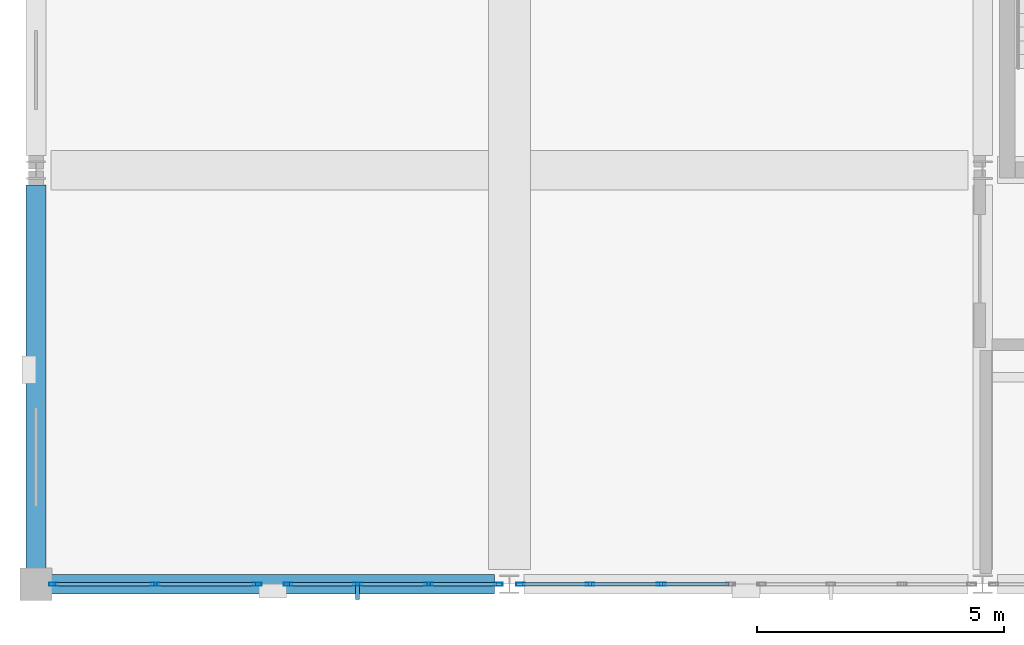
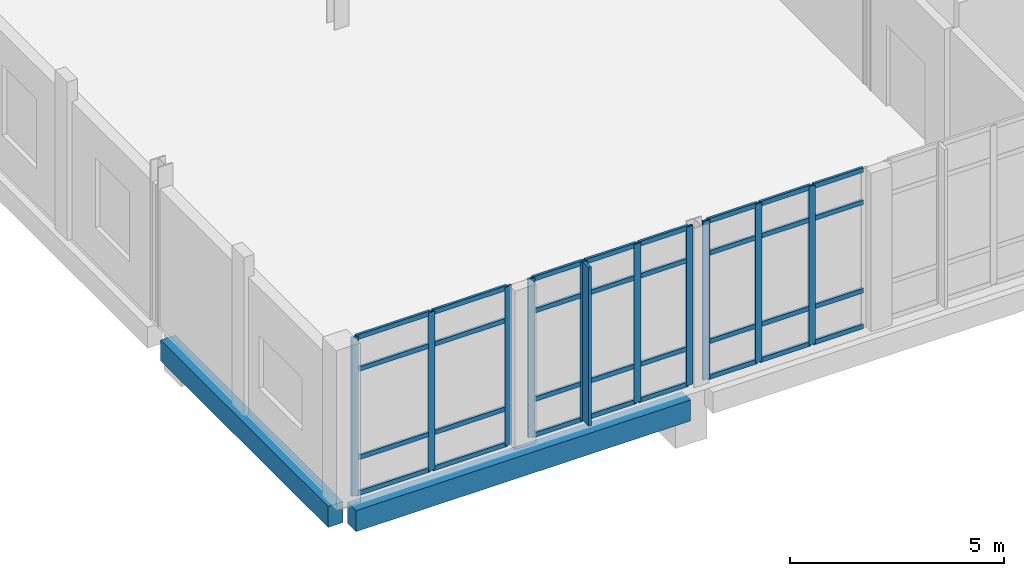
# One storey, part 13 of 102: 43 members, 2 beams, 3 elements without a shape of their own.
"""IFC4 building model written with IfcOpenShell, lengths in metres."""

from ifc_helpers import new_model, si_unit, direction, frame, origin, origin_2d, place, context, subcontext, project, spatial, rectangle, hollow_rectangle, extrude, material, layer, layer_set, material_profile, profile_set, type_object, element, aggregate, save


model = new_model("IFC4")

# Units and contexts
model_context = context("Model", 3, precision=1e-05, world=origin(), true_north=direction((0.0, 1.0)))
body_context = subcontext(model_context, "Body", "Model", "MODEL_VIEW")
ifc_project = project(units=[si_unit("LENGTHUNIT", "METRE"), si_unit("AREAUNIT", "SQUARE_METRE"), si_unit("VOLUMEUNIT", "CUBIC_METRE"), si_unit("PLANEANGLEUNIT", "RADIAN"), si_unit("MASSUNIT", "GRAM", prefix="KILO")], contexts=[model_context])

# Site, building, storey
site_placement = place(None, origin())
site = spatial("IfcSite", under=ifc_project, at=site_placement, CompositionType="ELEMENT")
building_placement = place(site_placement, origin())
building = spatial("IfcBuilding", under=site, at=building_placement, Name="Lornevale Opera House", CompositionType="ELEMENT")
storey_placement = place(building_placement, frame((0.0, 0.0, 5.39990234375)))
storey = spatial("IfcBuildingStorey", under=building, at=storey_placement, Name="L02", CompositionType="ELEMENT", Elevation=5.39990234375)

# Beams
ifc_material_1 = material(Name="Concrete 35 MPa (CSA A23.1 N)", Category="concrete")
ifc_material_profile_1 = material_profile(ifc_material_1, rectangle(XDim=0.39990234375, YDim=0.60009765625, at=origin_2d()), Name="RC400x600")
ifc_profile_set_1 = profile_set([ifc_material_profile_1], Name="Concrete 35 MPa (CSA A23.1 N)")
beam_type = type_object("IfcBeamType", Name="Concrete Spandrel Beam 400x600", PredefinedType="SPANDREL", material=ifc_profile_set_1)
beam_1_placement = place(storey_placement, frame((0.27490234375, 0.0, -0.599853515625), z_axis=(1.0, 0.0, 0.0), x_axis=(0.0, 1.0, 0.0)))
element("IfcBeam", 1, at=beam_1_placement, inside=storey, type_object=beam_type, Name="Concrete Spandrel Beam 400x600 1671", PredefinedType="SPANDREL", context=body_context, shape_type="SweptSolid", body=[
    extrude(rectangle(XDim=0.39990234375, YDim=0.60009765625, at=origin_2d()), origin(), (0.0, 0.0, 1.0), 9.025146484375),
])
beam_2_placement = place(storey_placement, frame((0.0, 0.27490234375, -0.599853515625), z_axis=(0.0, 1.0, 0.0), x_axis=(-1.0, 0.0, 0.0)))
element("IfcBeam", 2, at=beam_2_placement, inside=storey, type_object=beam_type, Name="Concrete Spandrel Beam 400x600 1826", PredefinedType="SPANDREL", context=body_context, shape_type="SweptSolid", body=[
    extrude(rectangle(XDim=0.39990234375, YDim=0.60009765625, at=origin_2d()), origin(), (0.0, 0.0, 1.0), 7.8251953125),
])

# Curtain wall, members
ifc_material_2 = material(Name="Anodized Oxide-Green Aluminium Framing", Category="aluminium")
ifc_layer = layer(ifc_material_2, 0.175048828125)
ifc_layer_set = layer_set([ifc_layer], Name="Anodized Oxide-Green Aluminium Framing")
curtain_wall_type = type_object("IfcCurtainWallType", Name="Chamber Cloister Curtain Wall M1700", PredefinedType="NOTDEFINED", material=ifc_layer_set)
curtain_wall_1_placement = place(storey_placement, origin())
curtain_wall_1 = element("IfcCurtainWall", 3, at=curtain_wall_1_placement, inside=storey, type_object=curtain_wall_type, Name="Chamber Cloister Curtain Wall M1700 CW-021", PredefinedType="NOTDEFINED")
ifc_material_profile_2 = material_profile(ifc_material_2, hollow_rectangle(XDim=0.06494140625, YDim=0.179931640625, WallThickness=0.0048828125, at=origin_2d()), Name="ALU65x180x5")
ifc_profile_set_2 = profile_set([ifc_material_profile_2], Name="Anodized Oxide-Green Aluminium Framing")
member_type_1 = type_object("IfcMemberType", Name="Curtain Wall Mullion 65x180", PredefinedType="MULLION", material=ifc_profile_set_2)
member_1_placement = place(storey_placement, frame((9.37451171875, 0.0, 0.0), z_axis=(0.0, 0.0, 1.0), x_axis=(0.0, -1.0, 0.0)))
member_1 = element("IfcMember", 4, at=member_1_placement, type_object=member_type_1, Name="Curtain Wall Mullion 65x180 CW0341", PredefinedType="MULLION", context=body_context, shape_type="SweptSolid", body=[
    extrude(hollow_rectangle(XDim=0.06494140625, YDim=0.179931640625, WallThickness=0.0048828125, at=origin_2d()), origin(), (0.0, 0.0, 1.0), 4.52001953125),
])
member_2_placement = place(storey_placement, frame((7.964599609375, 0.0, 0.0), z_axis=(0.0, 0.0, 1.0), x_axis=(0.0, -1.0, 0.0)))
member_2 = element("IfcMember", 5, at=member_2_placement, type_object=member_type_1, Name="Curtain Wall Mullion 65x180 CW0342", PredefinedType="MULLION", context=body_context, shape_type="SweptSolid", body=[
    extrude(hollow_rectangle(XDim=0.06494140625, YDim=0.179931640625, WallThickness=0.0048828125, at=origin_2d()), origin(), (0.0, 0.0, 1.0), 4.52001953125),
])
member_3_placement = place(storey_placement, frame((6.522216796875, 0.0, 0.0), z_axis=(0.0, 0.0, 1.0), x_axis=(0.0, -1.0, 0.0)))
member_3 = element("IfcMember", 6, at=member_3_placement, type_object=member_type_1, Name="Curtain Wall Mullion 65x180 CW0343", PredefinedType="MULLION", context=body_context, shape_type="SweptSolid", body=[
    extrude(hollow_rectangle(XDim=0.06494140625, YDim=0.179931640625, WallThickness=0.0048828125, at=origin_2d()), origin(), (0.0, 0.0, 1.0), 4.52001953125),
])
member_4_placement = place(storey_placement, frame((5.112548828125, 0.0, 0.0), z_axis=(0.0, 0.0, 1.0), x_axis=(0.0, -1.0, 0.0)))
member_4 = element("IfcMember", 7, at=member_4_placement, type_object=member_type_1, Name="Curtain Wall Mullion 65x180 CW0344", PredefinedType="MULLION", context=body_context, shape_type="SweptSolid", body=[
    extrude(hollow_rectangle(XDim=0.06494140625, YDim=0.179931640625, WallThickness=0.0048828125, at=origin_2d()), origin(), (0.0, 0.0, 1.0), 4.52001953125),
])

curtain_wall_2_placement = place(storey_placement, origin())
curtain_wall_2 = element("IfcCurtainWall", 8, at=curtain_wall_2_placement, inside=storey, type_object=curtain_wall_type, Name="Chamber Cloister Curtain Wall M1700 CW-022", PredefinedType="NOTDEFINED")
member_5_placement = place(storey_placement, frame((4.487548828125, 0.0, 0.0), z_axis=(0.0, 0.0, 1.0), x_axis=(0.0, -1.0, 0.0)))
member_5 = element("IfcMember", 9, at=member_5_placement, type_object=member_type_1, Name="Curtain Wall Mullion 65x180 CW0366", PredefinedType="MULLION", context=body_context, shape_type="SweptSolid", body=[
    extrude(hollow_rectangle(XDim=0.06494140625, YDim=0.179931640625, WallThickness=0.0048828125, at=origin_2d()), origin(), (0.0, 0.0, 1.0), 4.52001953125),
])
member_6_placement = place(storey_placement, frame((2.42041015625, 0.0, 0.0), z_axis=(0.0, 0.0, 1.0), x_axis=(0.0, -1.0, 0.0)))
member_6 = element("IfcMember", 10, at=member_6_placement, type_object=member_type_1, Name="Curtain Wall Mullion 65x180 CW0367", PredefinedType="MULLION", context=body_context, shape_type="SweptSolid", body=[
    extrude(hollow_rectangle(XDim=0.06494140625, YDim=0.179931640625, WallThickness=0.0048828125, at=origin_2d()), origin(), (0.0, 0.0, 1.0), 4.52001953125),
])
member_7_placement = place(storey_placement, frame((0.353515625, 0.0, 0.0), z_axis=(0.0, 0.0, 1.0), x_axis=(0.0, -1.0, 0.0)))
member_7 = element("IfcMember", 11, at=member_7_placement, type_object=member_type_1, Name="Curtain Wall Mullion 65x180 CW0368", PredefinedType="MULLION", context=body_context, shape_type="SweptSolid", body=[
    extrude(hollow_rectangle(XDim=0.06494140625, YDim=0.179931640625, WallThickness=0.0048828125, at=origin_2d()), origin(), (0.0, 0.0, 1.0), 4.52001953125),
])

curtain_wall_3_placement = place(storey_placement, origin())
curtain_wall_3 = element("IfcCurtainWall", 12, at=curtain_wall_3_placement, inside=storey, type_object=curtain_wall_type, Name="Chamber Cloister Curtain Wall M1700 CW-030", PredefinedType="NOTDEFINED")
member_8_placement = place(storey_placement, frame((12.677734375, 0.0, 0.0), z_axis=(0.0, 0.0, 1.0), x_axis=(0.0, -1.0, 0.0)))
member_8 = element("IfcMember", 13, at=member_8_placement, type_object=member_type_1, Name="Curtain Wall Mullion 65x180 CW0559", PredefinedType="MULLION", context=body_context, shape_type="SweptSolid", body=[
    extrude(hollow_rectangle(XDim=0.06494140625, YDim=0.179931640625, WallThickness=0.0048828125, at=origin_2d()), origin(), (0.0, 0.0, 1.0), 4.52001953125),
])
member_9_placement = place(storey_placement, frame((11.2353515625, 0.0, 0.0), z_axis=(0.0, 0.0, 1.0), x_axis=(0.0, -1.0, 0.0)))
member_9 = element("IfcMember", 14, at=member_9_placement, type_object=member_type_1, Name="Curtain Wall Mullion 65x180 CW0560", PredefinedType="MULLION", context=body_context, shape_type="SweptSolid", body=[
    extrude(hollow_rectangle(XDim=0.06494140625, YDim=0.179931640625, WallThickness=0.0048828125, at=origin_2d()), origin(), (0.0, 0.0, 1.0), 4.52001953125),
])
member_10_placement = place(storey_placement, frame((9.825439453125, 0.0, 0.0), z_axis=(0.0, 0.0, 1.0), x_axis=(0.0, -1.0, 0.0)))
member_10 = element("IfcMember", 15, at=member_10_placement, type_object=member_type_1, Name="Curtain Wall Mullion 65x180 CW0561", PredefinedType="MULLION", context=body_context, shape_type="SweptSolid", body=[
    extrude(hollow_rectangle(XDim=0.06494140625, YDim=0.179931640625, WallThickness=0.0048828125, at=origin_2d()), origin(), (0.0, 0.0, 1.0), 4.52001953125),
])

# Member
ifc_material_profile_3 = material_profile(ifc_material_2, hollow_rectangle(XDim=0.06494140625, YDim=0.135009765625, WallThickness=0.00390625, at=origin_2d()), Name="ALU65x135x4")
ifc_profile_set_3 = profile_set([ifc_material_profile_3], Name="Anodized Oxide-Green Aluminium Framing")
member_type_2 = type_object("IfcMemberType", Name="Curtain Wall Transom 65x135", PredefinedType="USERDEFINED", material=ifc_profile_set_3)
member_11_placement = place(storey_placement, frame((9.342041015625, 0.0, 0.03271484375), z_axis=(-1.0, 0.0, 0.0), x_axis=(0.0, -1.0, 0.0)))
member_11 = element("IfcMember", 16, at=member_11_placement, type_object=member_type_2, Name="Curtain Wall Transom 65x135 CW0345", ObjectType="TRANSOM", PredefinedType="USERDEFINED", context=body_context, shape_type="SweptSolid", body=[
    extrude(hollow_rectangle(XDim=0.06494140625, YDim=0.135009765625, WallThickness=0.00390625, at=origin_2d()), origin(), (0.0, 0.0, 1.0), 1.3447265625),
])

member_12_placement = place(storey_placement, frame((9.342041015625, 0.0, 1.050048828125), z_axis=(-1.0, 0.0, 0.0), x_axis=(0.0, -1.0, 0.0)))
member_12 = element("IfcMember", 17, at=member_12_placement, type_object=member_type_2, Name="Curtain Wall Transom 65x135 CW0346", ObjectType="TRANSOM", PredefinedType="USERDEFINED", context=body_context, shape_type="SweptSolid", body=[
    extrude(hollow_rectangle(XDim=0.06494140625, YDim=0.135009765625, WallThickness=0.00390625, at=origin_2d()), origin(), (0.0, 0.0, 1.0), 1.3447265625),
])

member_13_placement = place(storey_placement, frame((9.342041015625, 0.0, 3.570068359375), z_axis=(-1.0, 0.0, 0.0), x_axis=(0.0, -1.0, 0.0)))
member_13 = element("IfcMember", 18, at=member_13_placement, type_object=member_type_2, Name="Curtain Wall Transom 65x135 CW0347", ObjectType="TRANSOM", PredefinedType="USERDEFINED", context=body_context, shape_type="SweptSolid", body=[
    extrude(hollow_rectangle(XDim=0.06494140625, YDim=0.135009765625, WallThickness=0.00390625, at=origin_2d()), origin(), (0.0, 0.0, 1.0), 1.3447265625),
])

member_14_placement = place(storey_placement, frame((9.342041015625, 0.0, 4.487548828125), z_axis=(-1.0, 0.0, 0.0), x_axis=(0.0, -1.0, 0.0)))
member_14 = element("IfcMember", 19, at=member_14_placement, type_object=member_type_2, Name="Curtain Wall Transom 65x135 CW0348", ObjectType="TRANSOM", PredefinedType="USERDEFINED", context=body_context, shape_type="SweptSolid", body=[
    extrude(hollow_rectangle(XDim=0.06494140625, YDim=0.135009765625, WallThickness=0.00390625, at=origin_2d()), origin(), (0.0, 0.0, 1.0), 1.3447265625),
])

member_15_placement = place(storey_placement, frame((7.93212890625, 0.0, 0.03271484375), z_axis=(-1.0, 0.0, 0.0), x_axis=(0.0, -1.0, 0.0)))
member_15 = element("IfcMember", 20, at=member_15_placement, type_object=member_type_2, Name="Curtain Wall Transom 65x135 CW0352", ObjectType="TRANSOM", PredefinedType="USERDEFINED", context=body_context, shape_type="SweptSolid", body=[
    extrude(hollow_rectangle(XDim=0.06494140625, YDim=0.135009765625, WallThickness=0.00390625, at=origin_2d()), origin(), (0.0, 0.0, 1.0), 1.37744140625),
])

member_16_placement = place(storey_placement, frame((7.93212890625, 0.0, 1.050048828125), z_axis=(-1.0, 0.0, 0.0), x_axis=(0.0, -1.0, 0.0)))
member_16 = element("IfcMember", 21, at=member_16_placement, type_object=member_type_2, Name="Curtain Wall Transom 65x135 CW0353", ObjectType="TRANSOM", PredefinedType="USERDEFINED", context=body_context, shape_type="SweptSolid", body=[
    extrude(hollow_rectangle(XDim=0.06494140625, YDim=0.135009765625, WallThickness=0.00390625, at=origin_2d()), origin(), (0.0, 0.0, 1.0), 1.37744140625),
])

member_17_placement = place(storey_placement, frame((7.93212890625, 0.0, 3.570068359375), z_axis=(-1.0, 0.0, 0.0), x_axis=(0.0, -1.0, 0.0)))
member_17 = element("IfcMember", 22, at=member_17_placement, type_object=member_type_2, Name="Curtain Wall Transom 65x135 CW0354", ObjectType="TRANSOM", PredefinedType="USERDEFINED", context=body_context, shape_type="SweptSolid", body=[
    extrude(hollow_rectangle(XDim=0.06494140625, YDim=0.135009765625, WallThickness=0.00390625, at=origin_2d()), origin(), (0.0, 0.0, 1.0), 1.37744140625),
])

member_18_placement = place(storey_placement, frame((7.93212890625, 0.0, 4.487548828125), z_axis=(-1.0, 0.0, 0.0), x_axis=(0.0, -1.0, 0.0)))
member_18 = element("IfcMember", 23, at=member_18_placement, type_object=member_type_2, Name="Curtain Wall Transom 65x135 CW0355", ObjectType="TRANSOM", PredefinedType="USERDEFINED", context=body_context, shape_type="SweptSolid", body=[
    extrude(hollow_rectangle(XDim=0.06494140625, YDim=0.135009765625, WallThickness=0.00390625, at=origin_2d()), origin(), (0.0, 0.0, 1.0), 1.37744140625),
])

member_19_placement = place(storey_placement, frame((6.48974609375, 0.0, 0.03271484375), z_axis=(-1.0, 0.0, 0.0), x_axis=(0.0, -1.0, 0.0)))
member_19 = element("IfcMember", 24, at=member_19_placement, type_object=member_type_2, Name="Curtain Wall Transom 65x135 CW0359", ObjectType="TRANSOM", PredefinedType="USERDEFINED", context=body_context, shape_type="SweptSolid", body=[
    extrude(hollow_rectangle(XDim=0.06494140625, YDim=0.135009765625, WallThickness=0.00390625, at=origin_2d()), origin(), (0.0, 0.0, 1.0), 1.3447265625),
])

member_20_placement = place(storey_placement, frame((6.48974609375, 0.0, 1.050048828125), z_axis=(-1.0, 0.0, 0.0), x_axis=(0.0, -1.0, 0.0)))
member_20 = element("IfcMember", 25, at=member_20_placement, type_object=member_type_2, Name="Curtain Wall Transom 65x135 CW0360", ObjectType="TRANSOM", PredefinedType="USERDEFINED", context=body_context, shape_type="SweptSolid", body=[
    extrude(hollow_rectangle(XDim=0.06494140625, YDim=0.135009765625, WallThickness=0.00390625, at=origin_2d()), origin(), (0.0, 0.0, 1.0), 1.3447265625),
])

member_21_placement = place(storey_placement, frame((6.48974609375, 0.0, 3.570068359375), z_axis=(-1.0, 0.0, 0.0), x_axis=(0.0, -1.0, 0.0)))
member_21 = element("IfcMember", 26, at=member_21_placement, type_object=member_type_2, Name="Curtain Wall Transom 65x135 CW0361", ObjectType="TRANSOM", PredefinedType="USERDEFINED", context=body_context, shape_type="SweptSolid", body=[
    extrude(hollow_rectangle(XDim=0.06494140625, YDim=0.135009765625, WallThickness=0.00390625, at=origin_2d()), origin(), (0.0, 0.0, 1.0), 1.3447265625),
])

member_22_placement = place(storey_placement, frame((6.48974609375, 0.0, 4.487548828125), z_axis=(-1.0, 0.0, 0.0), x_axis=(0.0, -1.0, 0.0)))
member_22 = element("IfcMember", 27, at=member_22_placement, type_object=member_type_2, Name="Curtain Wall Transom 65x135 CW0362", ObjectType="TRANSOM", PredefinedType="USERDEFINED", context=body_context, shape_type="SweptSolid", body=[
    extrude(hollow_rectangle(XDim=0.06494140625, YDim=0.135009765625, WallThickness=0.00390625, at=origin_2d()), origin(), (0.0, 0.0, 1.0), 1.3447265625),
])

member_23_placement = place(storey_placement, frame((4.455078125, 0.0, 0.03271484375), z_axis=(-1.0, 0.0, 0.0), x_axis=(0.0, -1.0, 0.0)))
member_23 = element("IfcMember", 28, at=member_23_placement, type_object=member_type_2, Name="Curtain Wall Transom 65x135 CW0369", ObjectType="TRANSOM", PredefinedType="USERDEFINED", context=body_context, shape_type="SweptSolid", body=[
    extrude(hollow_rectangle(XDim=0.06494140625, YDim=0.135009765625, WallThickness=0.00390625, at=origin_2d()), origin(), (0.0, 0.0, 1.0), 2.002197265625),
])

member_24_placement = place(storey_placement, frame((4.455078125, 0.0, 1.050048828125), z_axis=(-1.0, 0.0, 0.0), x_axis=(0.0, -1.0, 0.0)))
member_24 = element("IfcMember", 29, at=member_24_placement, type_object=member_type_2, Name="Curtain Wall Transom 65x135 CW0370", ObjectType="TRANSOM", PredefinedType="USERDEFINED", context=body_context, shape_type="SweptSolid", body=[
    extrude(hollow_rectangle(XDim=0.06494140625, YDim=0.135009765625, WallThickness=0.00390625, at=origin_2d()), origin(), (0.0, 0.0, 1.0), 2.002197265625),
])

member_25_placement = place(storey_placement, frame((4.455078125, 0.0, 3.570068359375), z_axis=(-1.0, 0.0, 0.0), x_axis=(0.0, -1.0, 0.0)))
member_25 = element("IfcMember", 30, at=member_25_placement, type_object=member_type_2, Name="Curtain Wall Transom 65x135 CW0371", ObjectType="TRANSOM", PredefinedType="USERDEFINED", context=body_context, shape_type="SweptSolid", body=[
    extrude(hollow_rectangle(XDim=0.06494140625, YDim=0.135009765625, WallThickness=0.00390625, at=origin_2d()), origin(), (0.0, 0.0, 1.0), 2.002197265625),
])

member_26_placement = place(storey_placement, frame((4.455078125, 0.0, 4.487548828125), z_axis=(-1.0, 0.0, 0.0), x_axis=(0.0, -1.0, 0.0)))
member_26 = element("IfcMember", 31, at=member_26_placement, type_object=member_type_2, Name="Curtain Wall Transom 65x135 CW0372", ObjectType="TRANSOM", PredefinedType="USERDEFINED", context=body_context, shape_type="SweptSolid", body=[
    extrude(hollow_rectangle(XDim=0.06494140625, YDim=0.135009765625, WallThickness=0.00390625, at=origin_2d()), origin(), (0.0, 0.0, 1.0), 2.002197265625),
])

member_27_placement = place(storey_placement, frame((2.387939453125, 0.0, 0.03271484375), z_axis=(-1.0, 0.0, 0.0), x_axis=(0.0, -1.0, 0.0)))
member_27 = element("IfcMember", 32, at=member_27_placement, type_object=member_type_2, Name="Curtain Wall Transom 65x135 CW0376", ObjectType="TRANSOM", PredefinedType="USERDEFINED", context=body_context, shape_type="SweptSolid", body=[
    extrude(hollow_rectangle(XDim=0.06494140625, YDim=0.135009765625, WallThickness=0.00390625, at=origin_2d()), origin(), (0.0, 0.0, 1.0), 2.001953125),
])

member_28_placement = place(storey_placement, frame((2.387939453125, 0.0, 1.050048828125), z_axis=(-1.0, 0.0, 0.0), x_axis=(0.0, -1.0, 0.0)))
member_28 = element("IfcMember", 33, at=member_28_placement, type_object=member_type_2, Name="Curtain Wall Transom 65x135 CW0377", ObjectType="TRANSOM", PredefinedType="USERDEFINED", context=body_context, shape_type="SweptSolid", body=[
    extrude(hollow_rectangle(XDim=0.06494140625, YDim=0.135009765625, WallThickness=0.00390625, at=origin_2d()), origin(), (0.0, 0.0, 1.0), 2.001953125),
])

member_29_placement = place(storey_placement, frame((2.387939453125, 0.0, 3.570068359375), z_axis=(-1.0, 0.0, 0.0), x_axis=(0.0, -1.0, 0.0)))
member_29 = element("IfcMember", 34, at=member_29_placement, type_object=member_type_2, Name="Curtain Wall Transom 65x135 CW0378", ObjectType="TRANSOM", PredefinedType="USERDEFINED", context=body_context, shape_type="SweptSolid", body=[
    extrude(hollow_rectangle(XDim=0.06494140625, YDim=0.135009765625, WallThickness=0.00390625, at=origin_2d()), origin(), (0.0, 0.0, 1.0), 2.001953125),
])

member_30_placement = place(storey_placement, frame((2.387939453125, 0.0, 4.487548828125), z_axis=(-1.0, 0.0, 0.0), x_axis=(0.0, -1.0, 0.0)))
member_30 = element("IfcMember", 35, at=member_30_placement, type_object=member_type_2, Name="Curtain Wall Transom 65x135 CW0379", ObjectType="TRANSOM", PredefinedType="USERDEFINED", context=body_context, shape_type="SweptSolid", body=[
    extrude(hollow_rectangle(XDim=0.06494140625, YDim=0.135009765625, WallThickness=0.00390625, at=origin_2d()), origin(), (0.0, 0.0, 1.0), 2.001953125),
])

aggregate(curtain_wall_2, [member_5, member_6, member_7, member_23, member_24, member_25, member_26, member_27, member_28, member_29, member_30])

member_31_placement = place(storey_placement, frame((14.054931640625, 0.0, 0.03271484375), z_axis=(-1.0, 0.0, 0.0), x_axis=(0.0, -1.0, 0.0)))
member_31 = element("IfcMember", 36, at=member_31_placement, type_object=member_type_2, Name="Curtain Wall Transom 65x135 CW0562", ObjectType="TRANSOM", PredefinedType="USERDEFINED", context=body_context, shape_type="SweptSolid", body=[
    extrude(hollow_rectangle(XDim=0.06494140625, YDim=0.135009765625, WallThickness=0.00390625, at=origin_2d()), origin(), (0.0, 0.0, 1.0), 1.3447265625),
])

member_32_placement = place(storey_placement, frame((14.054931640625, 0.0, 1.050048828125), z_axis=(-1.0, 0.0, 0.0), x_axis=(0.0, -1.0, 0.0)))
member_32 = element("IfcMember", 37, at=member_32_placement, type_object=member_type_2, Name="Curtain Wall Transom 65x135 CW0563", ObjectType="TRANSOM", PredefinedType="USERDEFINED", context=body_context, shape_type="SweptSolid", body=[
    extrude(hollow_rectangle(XDim=0.06494140625, YDim=0.135009765625, WallThickness=0.00390625, at=origin_2d()), origin(), (0.0, 0.0, 1.0), 1.3447265625),
])

member_33_placement = place(storey_placement, frame((14.054931640625, 0.0, 3.570068359375), z_axis=(-1.0, 0.0, 0.0), x_axis=(0.0, -1.0, 0.0)))
member_33 = element("IfcMember", 38, at=member_33_placement, type_object=member_type_2, Name="Curtain Wall Transom 65x135 CW0564", ObjectType="TRANSOM", PredefinedType="USERDEFINED", context=body_context, shape_type="SweptSolid", body=[
    extrude(hollow_rectangle(XDim=0.06494140625, YDim=0.135009765625, WallThickness=0.00390625, at=origin_2d()), origin(), (0.0, 0.0, 1.0), 1.3447265625),
])

member_34_placement = place(storey_placement, frame((14.054931640625, 0.0, 4.487548828125), z_axis=(-1.0, 0.0, 0.0), x_axis=(0.0, -1.0, 0.0)))
member_34 = element("IfcMember", 39, at=member_34_placement, type_object=member_type_2, Name="Curtain Wall Transom 65x135 CW0565", ObjectType="TRANSOM", PredefinedType="USERDEFINED", context=body_context, shape_type="SweptSolid", body=[
    extrude(hollow_rectangle(XDim=0.06494140625, YDim=0.135009765625, WallThickness=0.00390625, at=origin_2d()), origin(), (0.0, 0.0, 1.0), 1.3447265625),
])

member_35_placement = place(storey_placement, frame((12.645263671875, 0.0, 0.03271484375), z_axis=(-1.0, 0.0, 0.0), x_axis=(0.0, -1.0, 0.0)))
member_35 = element("IfcMember", 40, at=member_35_placement, type_object=member_type_2, Name="Curtain Wall Transom 65x135 CW0569", ObjectType="TRANSOM", PredefinedType="USERDEFINED", context=body_context, shape_type="SweptSolid", body=[
    extrude(hollow_rectangle(XDim=0.06494140625, YDim=0.135009765625, WallThickness=0.00390625, at=origin_2d()), origin(), (0.0, 0.0, 1.0), 1.37744140625),
])

member_36_placement = place(storey_placement, frame((12.645263671875, 0.0, 1.050048828125), z_axis=(-1.0, 0.0, 0.0), x_axis=(0.0, -1.0, 0.0)))
member_36 = element("IfcMember", 41, at=member_36_placement, type_object=member_type_2, Name="Curtain Wall Transom 65x135 CW0570", ObjectType="TRANSOM", PredefinedType="USERDEFINED", context=body_context, shape_type="SweptSolid", body=[
    extrude(hollow_rectangle(XDim=0.06494140625, YDim=0.135009765625, WallThickness=0.00390625, at=origin_2d()), origin(), (0.0, 0.0, 1.0), 1.37744140625),
])

member_37_placement = place(storey_placement, frame((12.645263671875, 0.0, 3.570068359375), z_axis=(-1.0, 0.0, 0.0), x_axis=(0.0, -1.0, 0.0)))
member_37 = element("IfcMember", 42, at=member_37_placement, type_object=member_type_2, Name="Curtain Wall Transom 65x135 CW0571", ObjectType="TRANSOM", PredefinedType="USERDEFINED", context=body_context, shape_type="SweptSolid", body=[
    extrude(hollow_rectangle(XDim=0.06494140625, YDim=0.135009765625, WallThickness=0.00390625, at=origin_2d()), origin(), (0.0, 0.0, 1.0), 1.37744140625),
])

member_38_placement = place(storey_placement, frame((12.645263671875, 0.0, 4.487548828125), z_axis=(-1.0, 0.0, 0.0), x_axis=(0.0, -1.0, 0.0)))
member_38 = element("IfcMember", 43, at=member_38_placement, type_object=member_type_2, Name="Curtain Wall Transom 65x135 CW0572", ObjectType="TRANSOM", PredefinedType="USERDEFINED", context=body_context, shape_type="SweptSolid", body=[
    extrude(hollow_rectangle(XDim=0.06494140625, YDim=0.135009765625, WallThickness=0.00390625, at=origin_2d()), origin(), (0.0, 0.0, 1.0), 1.37744140625),
])

member_39_placement = place(storey_placement, frame((11.202880859375, 0.0, 0.03271484375), z_axis=(-1.0, 0.0, 0.0), x_axis=(0.0, -1.0, 0.0)))
member_39 = element("IfcMember", 44, at=member_39_placement, type_object=member_type_2, Name="Curtain Wall Transom 65x135 CW0576", ObjectType="TRANSOM", PredefinedType="USERDEFINED", context=body_context, shape_type="SweptSolid", body=[
    extrude(hollow_rectangle(XDim=0.06494140625, YDim=0.135009765625, WallThickness=0.00390625, at=origin_2d()), origin(), (0.0, 0.0, 1.0), 1.344970703125),
])

member_40_placement = place(storey_placement, frame((11.202880859375, 0.0, 1.050048828125), z_axis=(-1.0, 0.0, 0.0), x_axis=(0.0, -1.0, 0.0)))
member_40 = element("IfcMember", 45, at=member_40_placement, type_object=member_type_2, Name="Curtain Wall Transom 65x135 CW0577", ObjectType="TRANSOM", PredefinedType="USERDEFINED", context=body_context, shape_type="SweptSolid", body=[
    extrude(hollow_rectangle(XDim=0.06494140625, YDim=0.135009765625, WallThickness=0.00390625, at=origin_2d()), origin(), (0.0, 0.0, 1.0), 1.344970703125),
])

member_41_placement = place(storey_placement, frame((11.202880859375, 0.0, 3.570068359375), z_axis=(-1.0, 0.0, 0.0), x_axis=(0.0, -1.0, 0.0)))
member_41 = element("IfcMember", 46, at=member_41_placement, type_object=member_type_2, Name="Curtain Wall Transom 65x135 CW0578", ObjectType="TRANSOM", PredefinedType="USERDEFINED", context=body_context, shape_type="SweptSolid", body=[
    extrude(hollow_rectangle(XDim=0.06494140625, YDim=0.135009765625, WallThickness=0.00390625, at=origin_2d()), origin(), (0.0, 0.0, 1.0), 1.344970703125),
])

member_42_placement = place(storey_placement, frame((11.202880859375, 0.0, 4.487548828125), z_axis=(-1.0, 0.0, 0.0), x_axis=(0.0, -1.0, 0.0)))
member_42 = element("IfcMember", 47, at=member_42_placement, type_object=member_type_2, Name="Curtain Wall Transom 65x135 CW0579", ObjectType="TRANSOM", PredefinedType="USERDEFINED", context=body_context, shape_type="SweptSolid", body=[
    extrude(hollow_rectangle(XDim=0.06494140625, YDim=0.135009765625, WallThickness=0.00390625, at=origin_2d()), origin(), (0.0, 0.0, 1.0), 1.344970703125),
])

aggregate(curtain_wall_3, [member_8, member_9, member_10, member_31, member_32, member_33, member_34, member_35, member_36, member_37, member_38, member_39, member_40, member_41, member_42])

ifc_material_3 = material(Name="Architectural Bronze Solar Louvre Alloy", Category="metal")
ifc_material_profile_4 = material_profile(ifc_material_3, rectangle(XDim=0.080078125, YDim=0.360107421875, at=origin_2d()), Name="FIN80x360")
ifc_profile_set_4 = profile_set([ifc_material_profile_4], Name="Architectural Bronze Solar Louvre Alloy")
member_type_3 = type_object("IfcMemberType", Name="Solar Shading Fin 80x360", PredefinedType="USERDEFINED", material=ifc_profile_set_4)
member_43_placement = place(storey_placement, frame((6.522216796875, -0.1259765625, 0.0), z_axis=(0.0, 0.0, 1.0), x_axis=(-1.0, 0.0, 0.0)))
member_43 = element("IfcMember", 48, at=member_43_placement, type_object=member_type_3, Name="Solar Shading Fin 80x360 FIN0011", ObjectType="SOLAR FIN", PredefinedType="USERDEFINED", context=body_context, shape_type="SweptSolid", body=[
    extrude(rectangle(XDim=0.080078125, YDim=0.360107421875, at=origin_2d()), origin(), (0.0, 0.0, 1.0), 4.52001953125),
])

aggregate(curtain_wall_1, [member_1, member_2, member_3, member_4, member_11, member_12, member_13, member_14, member_15, member_16, member_17, member_18, member_19, member_20, member_21, member_22, member_43])

save(model, "model.ifc")
